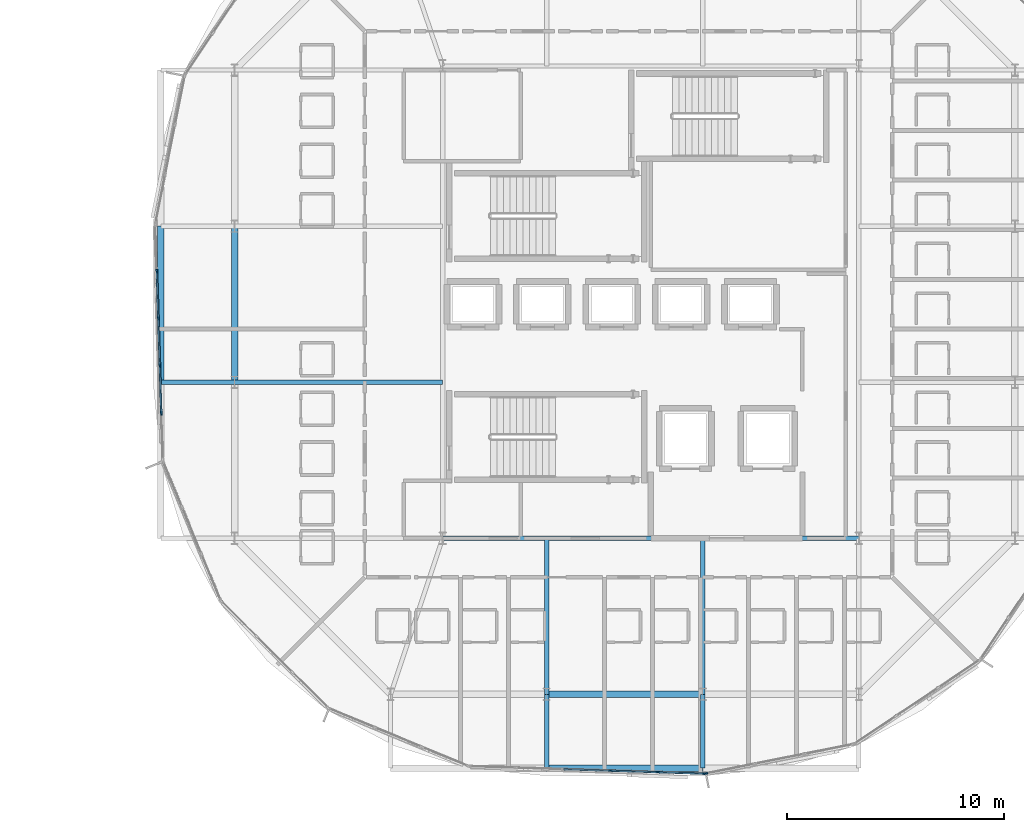
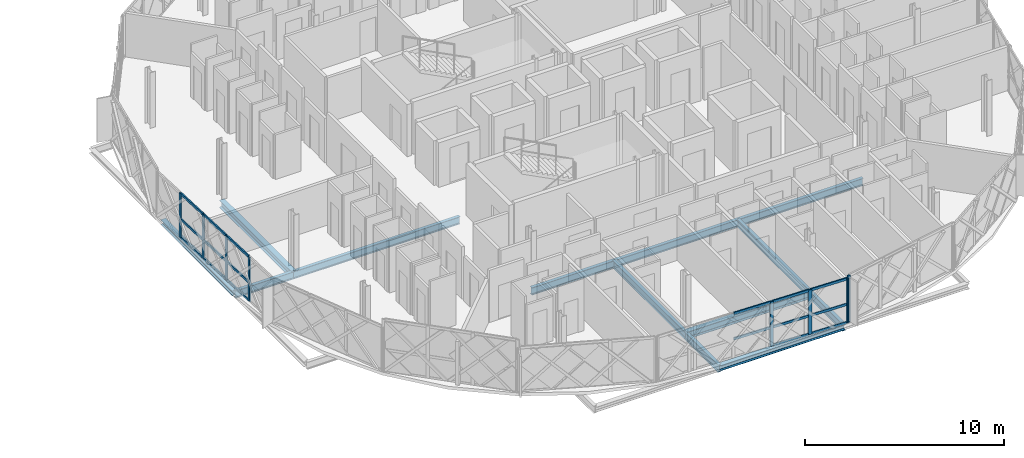
# One storey, part 7 of 50: 25 members, 11 beams, 3 elements without a shape of their own.
"""IFC4 building model written with IfcOpenShell, lengths in metres."""

from ifc_helpers import new_model, si_unit, direction, frame, origin, origin_2d, place, context, subcontext, project, spatial, rectangle, i_section, extrude, material, layer, layer_set, material_profile, profile_set, type_object, element, aggregate, save


model = new_model("IFC4")

# Units and contexts
model_context = context("Model", 3, precision=1e-05, world=origin(), true_north=direction((0.0, 1.0)))
body_context = subcontext(model_context, "Body", "Model", "MODEL_VIEW")
ifc_project = project(units=[si_unit("LENGTHUNIT", "METRE"), si_unit("AREAUNIT", "SQUARE_METRE"), si_unit("VOLUMEUNIT", "CUBIC_METRE"), si_unit("PLANEANGLEUNIT", "RADIAN"), si_unit("MASSUNIT", "GRAM", prefix="KILO")], contexts=[model_context])

# Site, building, storey
site_placement = place(None, origin())
site = spatial("IfcSite", under=ifc_project, at=site_placement, CompositionType="ELEMENT")
building_placement = place(site_placement, origin())
building = spatial("IfcBuilding", under=site, at=building_placement, Name="Zevrakil Square Congress Hotel", CompositionType="ELEMENT")
storey_placement = place(building_placement, frame((0.0, 0.0, 21.5)))
storey = spatial("IfcBuildingStorey", under=building, at=storey_placement, Name="L06", CompositionType="ELEMENT", Elevation=21.5)

# Beams
ifc_material_1 = material(Name="Steel S355", Category="steel")
ifc_material_profile_1 = material_profile(ifc_material_1, i_section(OverallWidth=0.300048828125, OverallDepth=0.43994140625, WebThickness=0.011474609375, FlangeThickness=0.02099609375, FilletRadius=0.027099609375, at=origin_2d()), Name="HEA 450")
ifc_profile_set_1 = profile_set([ifc_material_profile_1], Name="Steel S355")
beam_type_1 = type_object("IfcBeamType", Name="BM-HEA450", PredefinedType="BEAM", material=ifc_profile_set_1)
for number, where, z_axis, x_axis, name in (
    (1, (141.60009765625, 9.60009765625, -0.409912109375), (1.0, 0.0, 0.0), (0.0, 1.0, 0.0), "L06 drum ring girder DRB-02"),
    (2, (127.199951171875, 31.199951171875, -0.409912109375), (0.0, -1.0, 0.0), (1.0, 0.0, 0.0), "L06 drum ring girder DRB-14"),
):
    element("IfcBeam", number, at=place(storey_placement, frame(where, z_axis=z_axis, x_axis=x_axis)), inside=storey, type_object=beam_type_1, Name=name, PredefinedType="BEAM", context=body_context, shape_type="SweptSolid", body=[
        extrude(i_section(OverallWidth=0.300048828125, OverallDepth=0.43994140625, WebThickness=0.011474609375, FlangeThickness=0.02099609375, FilletRadius=0.027099609375, at=origin_2d()), origin(), (0.0, 0.0, 1.0), 7.199951171875),
    ])
ifc_material_2 = material(Name="Steel S355", Category="steel")
ifc_material_profile_2 = material_profile(ifc_material_2, i_section(OverallWidth=0.18994140625, OverallDepth=0.449951171875, WebThickness=0.009521484375, FlangeThickness=0.0146484375, FilletRadius=0.02099609375, at=origin_2d()), Name="IPE 450")
ifc_profile_set_2 = profile_set([ifc_material_profile_2], Name="Steel S355")
beam_type_2 = type_object("IfcBeamType", Name="BM-IPE450", PredefinedType="BEAM", material=ifc_profile_set_2)
beam_1_placement = place(storey_placement, frame((136.800048828125, 16.800048828125, -0.4150390625), z_axis=(1.0, 0.0, 0.0), x_axis=(0.0, 1.0, 0.0)))
element("IfcBeam", 3, at=beam_1_placement, inside=storey, type_object=beam_type_2, Name="L06 drum core perimeter tie beam DCB-01", PredefinedType="BEAM", context=body_context, shape_type="SweptSolid", body=[
    extrude(i_section(OverallWidth=0.18994140625, OverallDepth=0.449951171875, WebThickness=0.009521484375, FlangeThickness=0.0146484375, FilletRadius=0.02099609375, at=origin_2d()), origin(), (0.0, 0.0, 1.0), 19.199951171875),
])
beam_2_placement = place(storey_placement, frame((141.60009765625, 16.800048828125, -0.4150390625), z_axis=(0.0, -1.0, 0.0), x_axis=(1.0, 0.0, 0.0)))
element("IfcBeam", 4, at=beam_2_placement, inside=storey, type_object=beam_type_2, Name="L06 drum radial floor beam DRI-02", PredefinedType="BEAM", context=body_context, shape_type="SweptSolid", body=[
    extrude(i_section(OverallWidth=0.18994140625, OverallDepth=0.449951171875, WebThickness=0.009521484375, FlangeThickness=0.0146484375, FilletRadius=0.02099609375, at=origin_2d()), origin(), (0.0, 0.0, 1.0), 7.199951171875),
])
beam_3_placement = place(storey_placement, frame((141.60009765625, 9.60009765625, -0.4150390625), z_axis=(0.0, -1.0, 0.0), x_axis=(1.0, 0.0, 0.0)))
element("IfcBeam", 5, at=beam_3_placement, inside=storey, type_object=beam_type_2, Name="L06 drum radial edge cantilever beam DRO-02", PredefinedType="BEAM", context=body_context, shape_type="SweptSolid", body=[
    extrude(i_section(OverallWidth=0.18994140625, OverallDepth=0.449951171875, WebThickness=0.009521484375, FlangeThickness=0.0146484375, FilletRadius=0.02099609375, at=origin_2d()), origin(), (0.0, 0.0, 1.0), 3.400146484375),
])
beam_4_placement = place(storey_placement, frame((148.800048828125, 16.800048828125, -0.4150390625), z_axis=(0.0, -1.0, 0.0), x_axis=(1.0, 0.0, 0.0)))
element("IfcBeam", 6, at=beam_4_placement, inside=storey, type_object=beam_type_2, Name="L06 drum radial floor beam DRI-03", PredefinedType="BEAM", context=body_context, shape_type="SweptSolid", body=[
    extrude(i_section(OverallWidth=0.18994140625, OverallDepth=0.449951171875, WebThickness=0.009521484375, FlangeThickness=0.0146484375, FilletRadius=0.02099609375, at=origin_2d()), origin(), (0.0, 0.0, 1.0), 7.199951171875),
])
beam_5_placement = place(storey_placement, frame((148.800048828125, 9.60009765625, -0.4150390625), z_axis=(0.0, -1.0, 0.0), x_axis=(1.0, 0.0, 0.0)))
element("IfcBeam", 7, at=beam_5_placement, inside=storey, type_object=beam_type_2, Name="L06 drum radial edge cantilever beam DRO-03", PredefinedType="BEAM", context=body_context, shape_type="SweptSolid", body=[
    extrude(i_section(OverallWidth=0.18994140625, OverallDepth=0.449951171875, WebThickness=0.009521484375, FlangeThickness=0.0146484375, FilletRadius=0.02099609375, at=origin_2d()), origin(), (0.0, 0.0, 1.0), 3.400146484375),
])
beam_6_placement = place(storey_placement, frame((136.800048828125, 24.0, -0.4150390625), z_axis=(-1.0, 0.0, 0.0), x_axis=(0.0, -1.0, 0.0)))
element("IfcBeam", 8, at=beam_6_placement, inside=storey, type_object=beam_type_2, Name="L06 drum radial floor beam DRI-15", PredefinedType="BEAM", context=body_context, shape_type="SweptSolid", body=[
    extrude(i_section(OverallWidth=0.18994140625, OverallDepth=0.449951171875, WebThickness=0.009521484375, FlangeThickness=0.0146484375, FilletRadius=0.02099609375, at=origin_2d()), origin(), (0.0, 0.0, 1.0), 9.60009765625),
])
beam_7_placement = place(storey_placement, frame((127.199951171875, 24.0, -0.4150390625), z_axis=(-1.0, 0.0, 0.0), x_axis=(0.0, -1.0, 0.0)))
element("IfcBeam", 9, at=beam_7_placement, inside=storey, type_object=beam_type_2, Name="L06 drum radial edge cantilever beam DRO-15", PredefinedType="BEAM", context=body_context, shape_type="SweptSolid", body=[
    extrude(i_section(OverallWidth=0.18994140625, OverallDepth=0.449951171875, WebThickness=0.009521484375, FlangeThickness=0.0146484375, FilletRadius=0.02099609375, at=origin_2d()), origin(), (0.0, 0.0, 1.0), 3.39990234375),
])

# Curtain wall, members
ifc_material_3 = material(Name="Aluminium Anodised Bronze", Category="aluminium")
ifc_layer_1 = layer(ifc_material_3, 0.179931640625)
ifc_layer_set_1 = layer_set([ifc_layer_1], Name="Aluminium Anodised Bronze")
curtain_wall_type_1 = type_object("IfcCurtainWallType", Name="CW-L06-900", PredefinedType="USERDEFINED", material=ifc_layer_set_1)
curtain_wall_1_placement = place(storey_placement, origin())
curtain_wall_1 = element("IfcCurtainWall", 10, at=curtain_wall_1_placement, inside=storey, type_object=curtain_wall_type_1, Name="L06 diamond curtain wall CW-L06-0214", ObjectType="GLAZED CURTAIN WALL", PredefinedType="USERDEFINED")
ifc_material_4 = material(Name="Aluminium Anodised Bronze", Category="aluminium")
ifc_material_profile_3 = material_profile(ifc_material_4, rectangle(XDim=0.074951171875, YDim=0.14990234375, at=origin_2d()), Name="ALU 75x150")
ifc_profile_set_3 = profile_set([ifc_material_profile_3], Name="Aluminium Anodised Bronze")
member_type_1 = type_object("IfcMemberType", Name="CWM-ALU75x150", PredefinedType="USERDEFINED", material=ifc_profile_set_3)
member_1_placement = place(storey_placement, frame((123.60986328125, 29.092529296875, 0.030029296875), z_axis=(0.031615198015, -0.999500114685, 0.0), x_axis=(0.999500114685, 0.031615198015, 0.0)))
member_1 = element("IfcMember", 11, at=member_1_placement, type_object=member_type_1, Name="CW-72 transom 2.1", ObjectType="TRANSOM", PredefinedType="USERDEFINED", context=body_context, shape_type="SweptSolid", body=[
    extrude(rectangle(XDim=0.074951171875, YDim=0.14990234375, at=origin_2d()), origin(), (0.0, 0.0, 1.0), 2.12353515625),
])
member_2_placement = place(storey_placement, frame((123.60986328125, 29.092529296875, 1.146484375), z_axis=(0.031615198015, -0.999500114685, 0.0), x_axis=(0.999500114685, 0.031615198015, 0.0)))
member_2 = element("IfcMember", 12, at=member_2_placement, type_object=member_type_1, Name="CW-72 transom 2.2", ObjectType="TRANSOM", PredefinedType="USERDEFINED", context=body_context, shape_type="SweptSolid", body=[
    extrude(rectangle(XDim=0.074951171875, YDim=0.14990234375, at=origin_2d()), origin(), (0.0, 0.0, 1.0), 2.12353515625),
])
member_3_placement = place(storey_placement, frame((123.60986328125, 29.092529296875, 2.699951171875), z_axis=(0.031615198015, -0.999500114685, 0.0), x_axis=(0.999500114685, 0.031615198015, 0.0)))
member_3 = element("IfcMember", 13, at=member_3_placement, type_object=member_type_1, Name="CW-72 transom 2.3", ObjectType="TRANSOM", PredefinedType="USERDEFINED", context=body_context, shape_type="SweptSolid", body=[
    extrude(rectangle(XDim=0.074951171875, YDim=0.14990234375, at=origin_2d()), origin(), (0.0, 0.0, 1.0), 2.12353515625),
])
member_4_placement = place(storey_placement, frame((123.678955078125, 26.909912109375, 0.030029296875), z_axis=(0.031615198015, -0.999500114685, 0.0), x_axis=(0.999500114685, 0.031615198015, 0.0)))
member_4 = element("IfcMember", 14, at=member_4_placement, type_object=member_type_1, Name="CW-72 transom 3.1", ObjectType="TRANSOM", PredefinedType="USERDEFINED", context=body_context, shape_type="SweptSolid", body=[
    extrude(rectangle(XDim=0.074951171875, YDim=0.14990234375, at=origin_2d()), origin(), (0.0, 0.0, 1.0), 2.12353515625),
])
member_5_placement = place(storey_placement, frame((123.678955078125, 26.909912109375, 1.146484375), z_axis=(0.031615198015, -0.999500114685, 0.0), x_axis=(0.999500114685, 0.031615198015, 0.0)))
member_5 = element("IfcMember", 15, at=member_5_placement, type_object=member_type_1, Name="CW-72 transom 3.2", ObjectType="TRANSOM", PredefinedType="USERDEFINED", context=body_context, shape_type="SweptSolid", body=[
    extrude(rectangle(XDim=0.074951171875, YDim=0.14990234375, at=origin_2d()), origin(), (0.0, 0.0, 1.0), 2.12353515625),
])
member_6_placement = place(storey_placement, frame((123.678955078125, 26.909912109375, 2.699951171875), z_axis=(0.031615198015, -0.999500114685, 0.0), x_axis=(0.999500114685, 0.031615198015, 0.0)))
member_6 = element("IfcMember", 16, at=member_6_placement, type_object=member_type_1, Name="CW-72 transom 3.3", ObjectType="TRANSOM", PredefinedType="USERDEFINED", context=body_context, shape_type="SweptSolid", body=[
    extrude(rectangle(XDim=0.074951171875, YDim=0.14990234375, at=origin_2d()), origin(), (0.0, 0.0, 1.0), 2.12353515625),
])
member_7_placement = place(storey_placement, frame((123.748046875, 24.727294921875, 0.030029296875), z_axis=(0.031500347942, -0.999503740903, 0.0), x_axis=(0.999503740903, 0.031500347942, 0.0)))
member_7 = element("IfcMember", 17, at=member_7_placement, type_object=member_type_1, Name="CW-72 transom 4.1", ObjectType="TRANSOM", PredefinedType="USERDEFINED", context=body_context, shape_type="SweptSolid", body=[
    extrude(rectangle(XDim=0.074951171875, YDim=0.14990234375, at=origin_2d()), origin(), (0.0, 0.0, 1.0), 2.12353515625),
])
member_8_placement = place(storey_placement, frame((123.748046875, 24.727294921875, 1.146484375), z_axis=(0.031500347942, -0.999503740903, 0.0), x_axis=(0.999503740903, 0.031500347942, 0.0)))
member_8 = element("IfcMember", 18, at=member_8_placement, type_object=member_type_1, Name="CW-72 transom 4.2", ObjectType="TRANSOM", PredefinedType="USERDEFINED", context=body_context, shape_type="SweptSolid", body=[
    extrude(rectangle(XDim=0.074951171875, YDim=0.14990234375, at=origin_2d()), origin(), (0.0, 0.0, 1.0), 2.12353515625),
])
member_9_placement = place(storey_placement, frame((123.748046875, 24.727294921875, 2.699951171875), z_axis=(0.031500347942, -0.999503740903, 0.0), x_axis=(0.999503740903, 0.031500347942, 0.0)))
member_9 = element("IfcMember", 19, at=member_9_placement, type_object=member_type_1, Name="CW-72 transom 4.3", ObjectType="TRANSOM", PredefinedType="USERDEFINED", context=body_context, shape_type="SweptSolid", body=[
    extrude(rectangle(XDim=0.074951171875, YDim=0.14990234375, at=origin_2d()), origin(), (0.0, 0.0, 1.0), 2.12353515625),
])

curtain_wall_2_placement = place(storey_placement, origin())
curtain_wall_2 = element("IfcCurtainWall", 20, at=curtain_wall_2_placement, inside=storey, type_object=curtain_wall_type_1, Name="L06 diamond curtain wall CW-L06-0218", ObjectType="GLAZED CURTAIN WALL", PredefinedType="USERDEFINED")
member_10_placement = place(storey_placement, frame((142.38720703125, 6.14599609375, 1.146484375), z_axis=(0.999500229574, -0.031611565628, 0.0), x_axis=(0.031611565628, 0.999500229574, 0.0)))
member_10 = element("IfcMember", 21, at=member_10_placement, type_object=member_type_1, Name="CW-72 transom 3.2", ObjectType="TRANSOM", PredefinedType="USERDEFINED", context=body_context, shape_type="SweptSolid", body=[
    extrude(rectangle(XDim=0.074951171875, YDim=0.14990234375, at=origin_2d()), origin(), (0.0, 0.0, 1.0), 2.123779296875),
])
member_11_placement = place(storey_placement, frame((142.38720703125, 6.14599609375, 2.699951171875), z_axis=(0.999500229574, -0.031611565628, 0.0), x_axis=(0.031611565628, 0.999500229574, 0.0)))
member_11 = element("IfcMember", 22, at=member_11_placement, type_object=member_type_1, Name="CW-72 transom 3.3", ObjectType="TRANSOM", PredefinedType="USERDEFINED", context=body_context, shape_type="SweptSolid", body=[
    extrude(rectangle(XDim=0.074951171875, YDim=0.14990234375, at=origin_2d()), origin(), (0.0, 0.0, 1.0), 2.123779296875),
])
member_12_placement = place(storey_placement, frame((144.56982421875, 6.0771484375, 0.030029296875), z_axis=(0.999500114685, -0.031615198015, 0.0), x_axis=(0.031615198015, 0.999500114685, 0.0)))
member_12 = element("IfcMember", 23, at=member_12_placement, type_object=member_type_1, Name="CW-72 transom 4.1", ObjectType="TRANSOM", PredefinedType="USERDEFINED", context=body_context, shape_type="SweptSolid", body=[
    extrude(rectangle(XDim=0.074951171875, YDim=0.14990234375, at=origin_2d()), origin(), (0.0, 0.0, 1.0), 2.12353515625),
])
member_13_placement = place(storey_placement, frame((144.56982421875, 6.0771484375, 1.146484375), z_axis=(0.999500114685, -0.031615198015, 0.0), x_axis=(0.031615198015, 0.999500114685, 0.0)))
member_13 = element("IfcMember", 24, at=member_13_placement, type_object=member_type_1, Name="CW-72 transom 4.2", ObjectType="TRANSOM", PredefinedType="USERDEFINED", context=body_context, shape_type="SweptSolid", body=[
    extrude(rectangle(XDim=0.074951171875, YDim=0.14990234375, at=origin_2d()), origin(), (0.0, 0.0, 1.0), 2.12353515625),
])
member_14_placement = place(storey_placement, frame((144.56982421875, 6.0771484375, 2.699951171875), z_axis=(0.999500114685, -0.031615198015, 0.0), x_axis=(0.031615198015, 0.999500114685, 0.0)))
member_14 = element("IfcMember", 25, at=member_14_placement, type_object=member_type_1, Name="CW-72 transom 4.3", ObjectType="TRANSOM", PredefinedType="USERDEFINED", context=body_context, shape_type="SweptSolid", body=[
    extrude(rectangle(XDim=0.074951171875, YDim=0.14990234375, at=origin_2d()), origin(), (0.0, 0.0, 1.0), 2.12353515625),
])
member_15_placement = place(storey_placement, frame((146.75244140625, 6.008056640625, 0.030029296875), z_axis=(0.999500517683, -0.031602454823, 0.0), x_axis=(0.031602454823, 0.999500517683, 0.0)))
member_15 = element("IfcMember", 26, at=member_15_placement, type_object=member_type_1, Name="CW-72 transom 5.1", ObjectType="TRANSOM", PredefinedType="USERDEFINED", context=body_context, shape_type="SweptSolid", body=[
    extrude(rectangle(XDim=0.074951171875, YDim=0.14990234375, at=origin_2d()), origin(), (0.0, 0.0, 1.0), 2.093505859375),
])
member_16_placement = place(storey_placement, frame((146.75244140625, 6.008056640625, 1.146484375), z_axis=(0.999500517683, -0.031602454823, 0.0), x_axis=(0.031602454823, 0.999500517683, 0.0)))
member_16 = element("IfcMember", 27, at=member_16_placement, type_object=member_type_1, Name="CW-72 transom 5.2", ObjectType="TRANSOM", PredefinedType="USERDEFINED", context=body_context, shape_type="SweptSolid", body=[
    extrude(rectangle(XDim=0.074951171875, YDim=0.14990234375, at=origin_2d()), origin(), (0.0, 0.0, 1.0), 2.093505859375),
])
member_17_placement = place(storey_placement, frame((146.75244140625, 6.008056640625, 2.699951171875), z_axis=(0.999500517683, -0.031602454823, 0.0), x_axis=(0.031602454823, 0.999500517683, 0.0)))
member_17 = element("IfcMember", 28, at=member_17_placement, type_object=member_type_1, Name="CW-72 transom 5.3", ObjectType="TRANSOM", PredefinedType="USERDEFINED", context=body_context, shape_type="SweptSolid", body=[
    extrude(rectangle(XDim=0.074951171875, YDim=0.14990234375, at=origin_2d()), origin(), (0.0, 0.0, 1.0), 2.093505859375),
])

# Curtain wall, member
ifc_material_5 = material(Name="Aluminium Anodised Bronze", Category="aluminium")
ifc_layer_2 = layer(ifc_material_5, 0.179931640625)
ifc_layer_set_2 = layer_set([ifc_layer_2], Name="Aluminium Anodised Bronze")
curtain_wall_type_2 = type_object("IfcCurtainWallType", Name="CW-L06-720", PredefinedType="USERDEFINED", material=ifc_layer_set_2)
curtain_wall_3_placement = place(storey_placement, origin())
curtain_wall_3 = element("IfcCurtainWall", 29, at=curtain_wall_3_placement, inside=storey, type_object=curtain_wall_type_2, Name="L06 diamond curtain wall CW-L06-0201", ObjectType="GLAZED CURTAIN WALL", PredefinedType="USERDEFINED")
ifc_material_6 = material(Name="Aluminium Anodised Bronze", Category="aluminium")
ifc_material_profile_4 = material_profile(ifc_material_6, rectangle(XDim=0.074951171875, YDim=0.179931640625, at=origin_2d()), Name="ALU 75x180")
ifc_profile_set_4 = profile_set([ifc_material_profile_4], Name="Aluminium Anodised Bronze")
member_type_2 = type_object("IfcMemberType", Name="CWM-ALU75x180", PredefinedType="MULLION", material=ifc_profile_set_4)
member_18_placement = place(storey_placement, frame((148.934326171875, 5.94580078125, 0.0), z_axis=(0.0, 0.0, 1.0), x_axis=(-0.195083900459, 0.980786557708, 0.0)))
member_18 = element("IfcMember", 30, at=member_18_placement, type_object=member_type_2, Name="CW-70 mullion 1", PredefinedType="MULLION", context=body_context, shape_type="SweptSolid", body=[
    extrude(rectangle(XDim=0.074951171875, YDim=0.179931640625, at=origin_2d()), origin(), (0.0, 0.0, 1.0), 2.8798828125),
])
aggregate(curtain_wall_3, [member_18])

# Member
member_19_placement = place(storey_placement, frame((123.60888671875, 29.12255859375, 0.0), z_axis=(0.0, 0.0, 1.0), x_axis=(0.999500643846, 0.031598464383, 0.0)))
member_19 = element("IfcMember", 31, at=member_19_placement, type_object=member_type_2, Name="CW-72 mullion 2", PredefinedType="MULLION", context=body_context, shape_type="SweptSolid", body=[
    extrude(rectangle(XDim=0.074951171875, YDim=0.179931640625, at=origin_2d()), origin(), (0.0, 0.0, 1.0), 2.72998046875),
])

member_20_placement = place(storey_placement, frame((123.677978515625, 26.93994140625, 0.0), z_axis=(0.0, 0.0, 1.0), x_axis=(0.999500643846, 0.031598464383, 0.0)))
member_20 = element("IfcMember", 32, at=member_20_placement, type_object=member_type_2, Name="CW-72 mullion 3", PredefinedType="MULLION", context=body_context, shape_type="SweptSolid", body=[
    extrude(rectangle(XDim=0.074951171875, YDim=0.179931640625, at=origin_2d()), origin(), (0.0, 0.0, 1.0), 2.72998046875),
])

member_21_placement = place(storey_placement, frame((123.7470703125, 24.75732421875, 0.0), z_axis=(0.0, 0.0, 1.0), x_axis=(0.999500643846, 0.031598464383, 0.0)))
member_21 = element("IfcMember", 33, at=member_21_placement, type_object=member_type_2, Name="CW-72 mullion 4", PredefinedType="MULLION", context=body_context, shape_type="SweptSolid", body=[
    extrude(rectangle(XDim=0.074951171875, YDim=0.179931640625, at=origin_2d()), origin(), (0.0, 0.0, 1.0), 2.72998046875),
])

member_22_placement = place(storey_placement, frame((123.81591796875, 22.57470703125, 0.0), z_axis=(0.0, 0.0, 1.0), x_axis=(0.999500643846, 0.031598464383, 0.0)))
member_22 = element("IfcMember", 34, at=member_22_placement, type_object=member_type_2, Name="CW-72 mullion 5", PredefinedType="MULLION", context=body_context, shape_type="SweptSolid", body=[
    extrude(rectangle(XDim=0.074951171875, YDim=0.179931640625, at=origin_2d()), origin(), (0.0, 0.0, 1.0), 2.72998046875),
])

aggregate(curtain_wall_1, [member_19, member_20, member_21, member_22, member_1, member_2, member_3, member_4, member_5, member_6, member_7, member_8, member_9])

member_23_placement = place(storey_placement, frame((144.539794921875, 6.077880859375, 0.0), z_axis=(0.0, 0.0, 1.0), x_axis=(0.031598464383, 0.999500643846, 0.0)))
member_23 = element("IfcMember", 35, at=member_23_placement, type_object=member_type_2, Name="CW-72 mullion 4", PredefinedType="MULLION", context=body_context, shape_type="SweptSolid", body=[
    extrude(rectangle(XDim=0.074951171875, YDim=0.179931640625, at=origin_2d()), origin(), (0.0, 0.0, 1.0), 2.72998046875),
])

member_24_placement = place(storey_placement, frame((146.722412109375, 6.009033203125, 0.0), z_axis=(0.0, 0.0, 1.0), x_axis=(0.031598464383, 0.999500643846, 0.0)))
member_24 = element("IfcMember", 36, at=member_24_placement, type_object=member_type_2, Name="CW-72 mullion 5", PredefinedType="MULLION", context=body_context, shape_type="SweptSolid", body=[
    extrude(rectangle(XDim=0.074951171875, YDim=0.179931640625, at=origin_2d()), origin(), (0.0, 0.0, 1.0), 2.72998046875),
])

member_25_placement = place(storey_placement, frame((148.875, 5.94091796875, 0.0), z_axis=(0.0, 0.0, 1.0), x_axis=(0.031598464383, 0.999500643846, 0.0)))
member_25 = element("IfcMember", 37, at=member_25_placement, type_object=member_type_2, Name="CW-72 mullion 6", PredefinedType="MULLION", context=body_context, shape_type="SweptSolid", body=[
    extrude(rectangle(XDim=0.074951171875, YDim=0.179931640625, at=origin_2d()), origin(), (0.0, 0.0, 1.0), 2.72998046875),
])

aggregate(curtain_wall_2, [member_23, member_24, member_25, member_10, member_11, member_12, member_13, member_14, member_15, member_16, member_17])

# Beams
ifc_material_7 = material(Name="Steel S355", Category="steel")
ifc_material_profile_5 = material_profile(ifc_material_7, i_section(OverallWidth=0.300048828125, OverallDepth=0.300048828125, WebThickness=0.010986328125, FlangeThickness=0.01904296875, FilletRadius=0.027099609375, at=origin_2d()), Name="HEB 300")
ifc_profile_set_5 = profile_set([ifc_material_profile_5], Name="Steel S355")
beam_type_3 = type_object("IfcBeamType", Name="SPD-RHS250", PredefinedType="SPANDREL", material=ifc_profile_set_5)
for number, where, z_axis, x_axis, name in (
    (38, (141.60009765625, 6.199951171875, -0.340087890625), (1.0, 0.0, 0.0), (0.0, 1.0, 0.0), "L06 drum edge spandrel beam DSP-01"),
    (39, (123.800048828125, 31.199951171875, -0.340087890625), (0.0, -1.0, 0.0), (1.0, 0.0, 0.0), "L06 drum edge spandrel beam DSP-13"),
):
    element("IfcBeam", number, at=place(storey_placement, frame(where, z_axis=z_axis, x_axis=x_axis)), inside=storey, type_object=beam_type_3, Name=name, PredefinedType="SPANDREL", context=body_context, shape_type="SweptSolid", body=[
        extrude(i_section(OverallWidth=0.300048828125, OverallDepth=0.300048828125, WebThickness=0.010986328125, FlangeThickness=0.01904296875, FilletRadius=0.027099609375, at=origin_2d()), origin(), (0.0, 0.0, 1.0), 7.199951171875),
    ])

save(model, "model.ifc")
